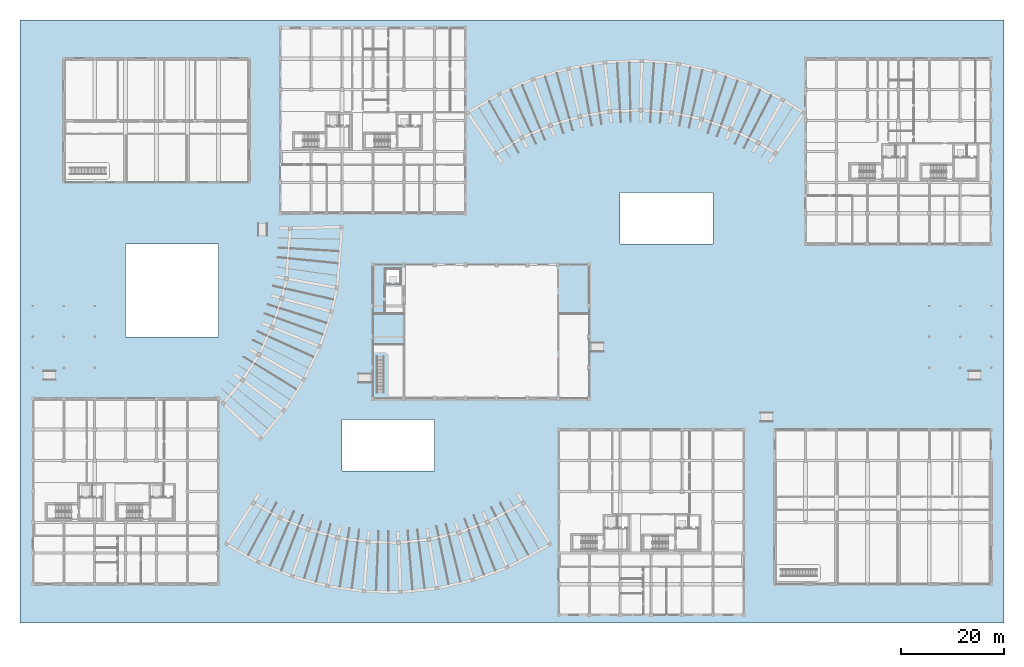
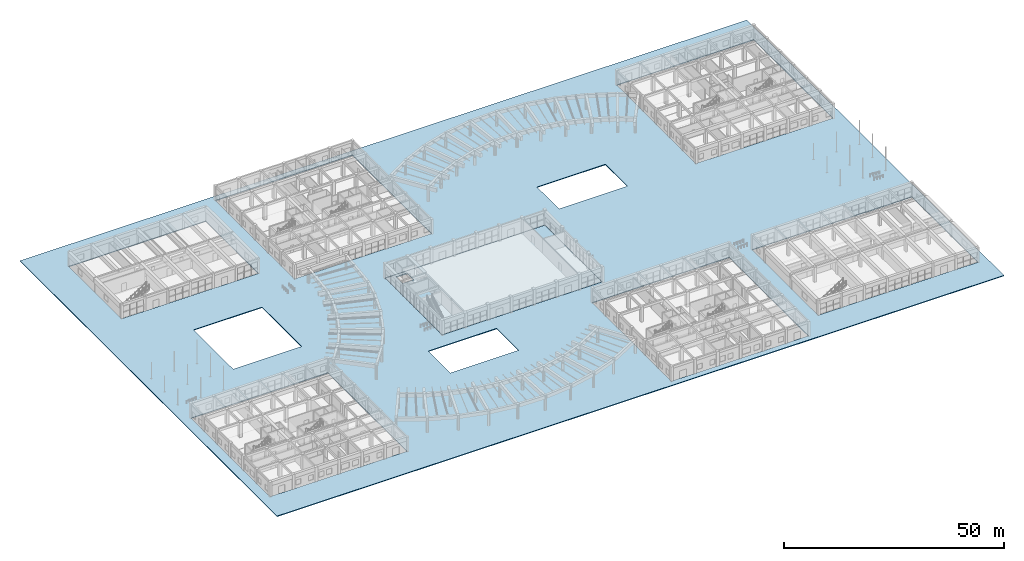
# One storey, part 40 of 76: 2 slabs.
"""IFC4 building model written with IfcOpenShell, lengths in metres."""

from ifc_helpers import new_model, si_unit, direction, frame, origin, place, context, subcontext, project, spatial, polyline, outline, extrude, material, layer, layer_set, type_object, element, save


model = new_model("IFC4")

# Units and contexts
model_context = context("Model", 3, precision=1e-05, world=origin(), true_north=direction((0.0, 1.0)))
body_context = subcontext(model_context, "Body", "Model", "MODEL_VIEW")
ifc_project = project(units=[si_unit("LENGTHUNIT", "METRE"), si_unit("AREAUNIT", "SQUARE_METRE"), si_unit("VOLUMEUNIT", "CUBIC_METRE"), si_unit("PLANEANGLEUNIT", "RADIAN"), si_unit("MASSUNIT", "GRAM", prefix="KILO"), si_unit("POWERUNIT", "WATT"), si_unit("THERMODYNAMICTEMPERATUREUNIT", "KELVIN")], contexts=[model_context])

# Site, building, storey
site_placement = place(None, origin())
site = spatial("IfcSite", under=ifc_project, at=site_placement, CompositionType="ELEMENT")
building_placement = place(site_placement, origin())
building = spatial("IfcBuilding", under=site, at=building_placement, Name="Ruvembo Vaulted Housing Court", CompositionType="ELEMENT")
storey_placement = place(building_placement, origin())
storey = spatial("IfcBuildingStorey", under=building, at=storey_placement, Name="L00", CompositionType="ELEMENT", Elevation=0.0)

# Slabs
ifc_material = material(Name="Concrete C30/37", Category="concrete")
ifc_layer_1 = layer(ifc_material, 0.197998046875, Name="Concrete C30/37")
ifc_layer_set_1 = layer_set([ifc_layer_1], Name="Concrete C30/37")
slab_type_1 = type_object("IfcSlabType", Name="SL-COURT-198", PredefinedType="FLOOR", material=ifc_layer_set_1)
slab_1_placement = place(storey_placement, frame((0.0, 0.0, -0.197998046875)))
element("IfcSlab", 1, at=slab_1_placement, inside=storey, type_object=slab_type_1, Name="L00 Courtyard and Perimeter Pedestrian Plaza Deck", PredefinedType="FLOOR", context=body_context, shape_type="SweptSolid", body=[
    extrude(outline(polyline([(188.5, 115.5), (-2.5, 115.5), (-2.5, -1.5), (188.5, -1.5), (188.5, 115.5)]), holes=[polyline([(102.0, 36.0), (102.0, 0.0), (138.0, 0.0), (138.0, 36.0), (102.0, 36.0)]), polyline([(186.0, 36.0), (144.0, 36.0), (144.0, 6.0), (186.0, 6.0), (186.0, 36.0)]), polyline([(36.0, 42.0), (0.0, 42.0), (0.0, 6.0), (36.0, 6.0), (36.0, 42.0)]), polyline([(108.0, 68.0), (66.0, 68.0), (66.0, 42.0), (108.0, 42.0), (108.0, 68.0)]), polyline([(186.0, 108.0), (150.0, 108.0), (150.0, 72.0), (186.0, 72.0), (186.0, 108.0)]), polyline([(42.0, 108.0), (6.0, 108.0), (6.0, 84.0), (42.0, 84.0), (42.0, 108.0)]), polyline([(84.0, 114.0), (48.0, 114.0), (48.0, 78.0), (84.0, 78.0), (84.0, 114.0)]), polyline([(18.0, 54.0), (36.0, 54.0), (36.0, 72.0), (18.0, 72.0), (18.0, 54.0)]), polyline([(60.0, 38.0), (60.0, 28.0), (78.0, 28.0), (78.0, 38.0), (60.0, 38.0)]), polyline([(132.0, 82.0), (114.0, 82.0), (114.0, 72.0), (132.0, 72.0), (132.0, 82.0)])]), origin(), (0.0, 0.0, 1.0), 0.197998046875),
])
ifc_layer_2 = layer(ifc_material, 0.284912109375, Name="Concrete C30/37")
ifc_layer_set_2 = layer_set([ifc_layer_2], Name="Concrete C30/37")
slab_type_2 = type_object("IfcSlabType", Name="SL-FLR-285", PredefinedType="FLOOR", material=ifc_layer_set_2)
slab_2_placement = place(storey_placement, frame((0.0, 0.0, -0.284912109375)))
element("IfcSlab", 2, at=slab_2_placement, inside=storey, type_object=slab_type_2, Name="Community Hall L00 Nave Floor Slab", PredefinedType="FLOOR", context=body_context, shape_type="SweptSolid", body=[
    extrude(outline(polyline([(66.0, 42.0), (108.0, 42.0), (108.0, 68.0), (66.0, 68.0), (66.0, 42.0)]), holes=[polyline([(68.39990234375, 64.199951171875), (71.39990234375, 64.199951171875), (71.39990234375, 67.199951171875), (68.39990234375, 67.199951171875), (68.39990234375, 64.199951171875)])]), origin(), (0.0, 0.0, 1.0), 0.284912109375),
])

save(model, "model.ifc")
